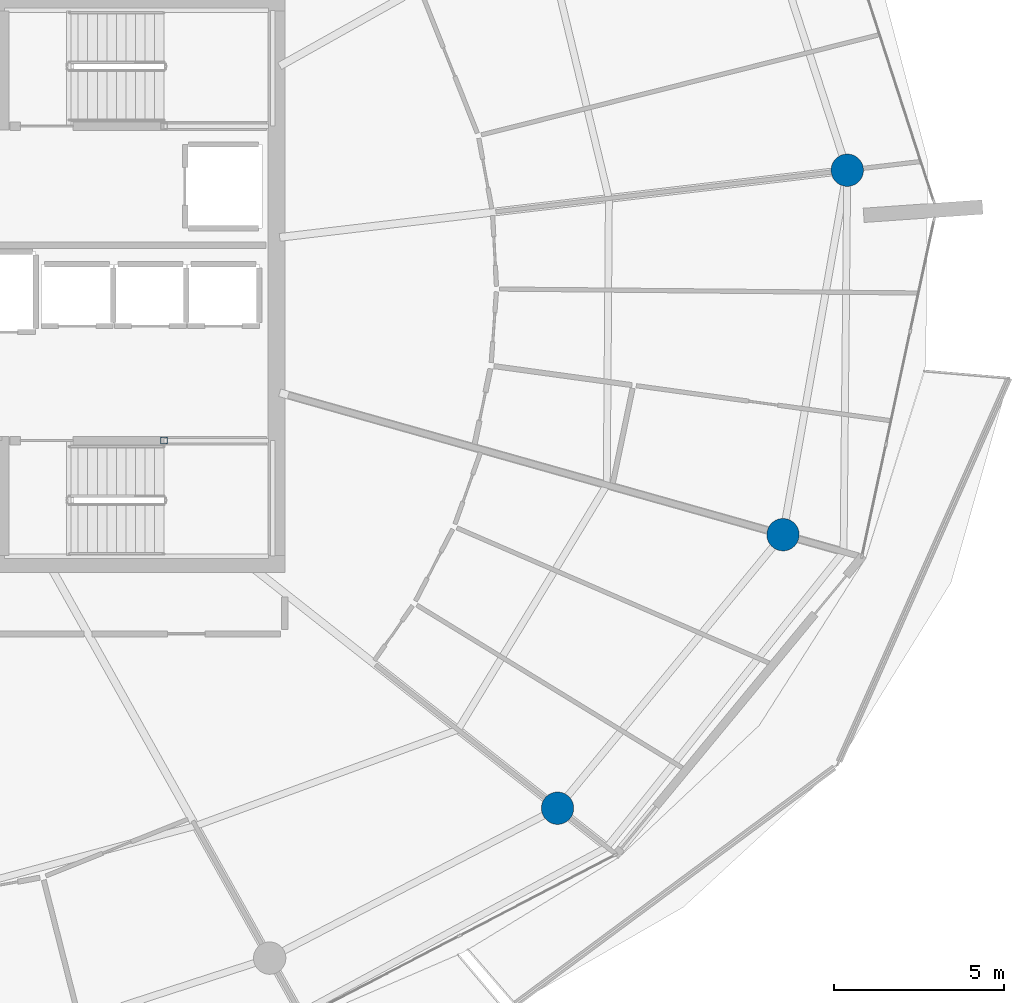
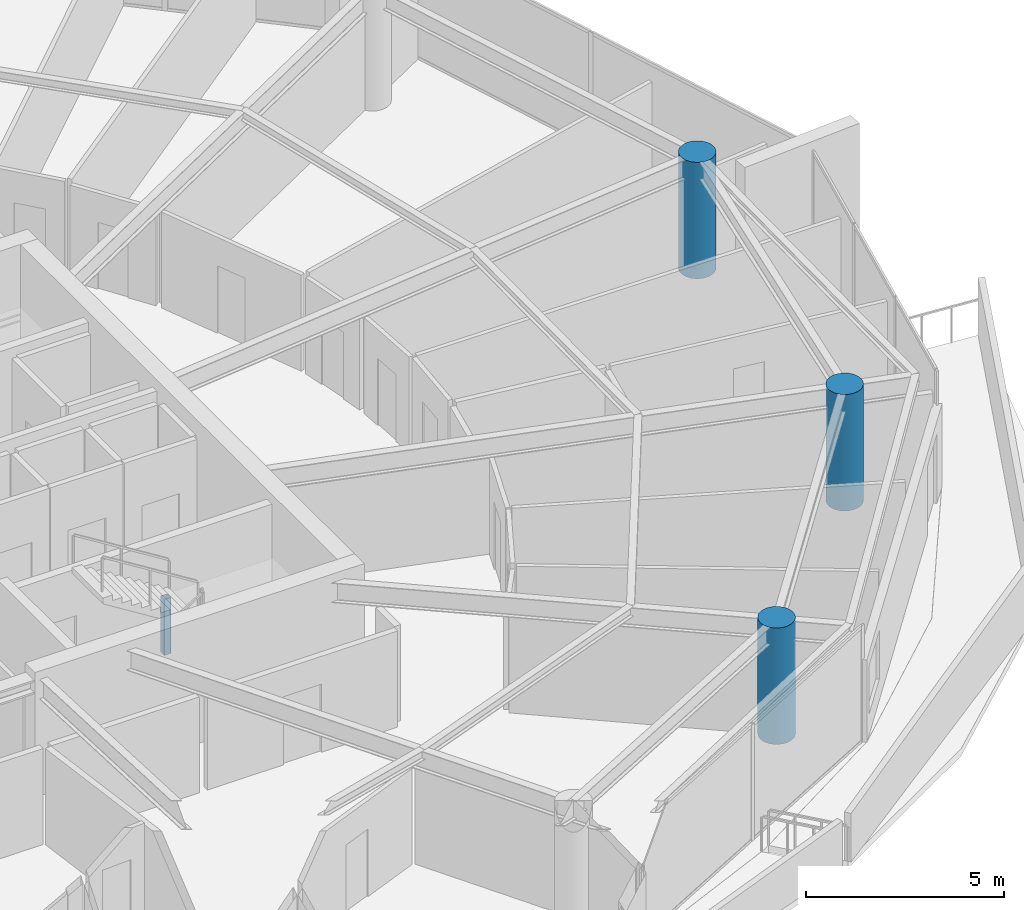
# One storey, part 3 of 30: 4 columns.
"""IFC4 building model written with IfcOpenShell, lengths in metres."""

from ifc_helpers import new_model, si_unit, direction, frame, origin, origin_2d, place, context, subcontext, project, spatial, hollow_rectangle, circle, extrude, material, material_profile, profile_set, type_object, element, save


model = new_model("IFC4")

# Units and contexts
model_context = context("Model", 3, precision=1e-05, world=origin(), true_north=direction((0.0, 1.0)))
body_context = subcontext(model_context, "Body", "Model", "MODEL_VIEW")
ifc_project = project(units=[si_unit("LENGTHUNIT", "METRE"), si_unit("AREAUNIT", "SQUARE_METRE"), si_unit("VOLUMEUNIT", "CUBIC_METRE"), si_unit("PLANEANGLEUNIT", "RADIAN"), si_unit("MASSUNIT", "GRAM", prefix="KILO")], contexts=[model_context])

# Site, building, storey
site_placement = place(None, origin())
site = spatial("IfcSite", under=ifc_project, at=site_placement, CompositionType="ELEMENT")
building_placement = place(site_placement, origin())
building = spatial("IfcBuilding", under=site, at=building_placement, Name="Kazma Halo Residences", CompositionType="ELEMENT")
storey_placement = place(building_placement, frame((0.0, 0.0, 279.050048828125)))
storey = spatial("IfcBuildingStorey", under=building, at=storey_placement, Name="L70", CompositionType="ELEMENT", Elevation=279.050048828125)

# Columns
ifc_material_1 = material(Name="Steel S355", Category="steel")
ifc_material_profile_1 = material_profile(ifc_material_1, hollow_rectangle(XDim=0.199951171875, YDim=0.199951171875, WallThickness=0.010009765625, InnerFilletRadius=0.010009765625, OuterFilletRadius=0.02001953125, at=origin_2d()), Name="SHS200x200x10")
ifc_profile_set_1 = profile_set([ifc_material_profile_1], Name="Steel S355")
column_type_1 = type_object("IfcColumnType", Name="COL-LP-SHS200", PredefinedType="COLUMN", material=ifc_profile_set_1)
column_placement = place(storey_placement, frame((56.0, 37.3798828125, 0.0), z_axis=(0.0, 0.0, 1.0), x_axis=(1.0, 0.0, 0.0)))
element("IfcColumn", 1, at=column_placement, inside=storey, type_object=column_type_1, Name="L70 ST-03 landing pilaster 1", PredefinedType="COLUMN", context=body_context, shape_type="SweptSolid", body=[
    extrude(hollow_rectangle(XDim=0.199951171875, YDim=0.199951171875, WallThickness=0.010009765625, InnerFilletRadius=0.010009765625, OuterFilletRadius=0.02001953125, at=origin_2d()), origin(), (0.0, 0.0, 1.0), 1.719970703125),
])
ifc_material_2 = material(Name="Concrete C60/75", Category="concrete")
ifc_material_profile_2 = material_profile(ifc_material_2, circle(Radius=0.47509765625, at=origin_2d()), Name="CIRC950")
ifc_profile_set_2 = profile_set([ifc_material_profile_2], Name="Concrete C60/75")
column_type_2 = type_object("IfcColumnType", Name="COL-PERIM-950", PredefinedType="COLUMN", material=ifc_profile_set_2)
for number, where, z_axis, x_axis, name in (
    (2, (67.566162109375, 26.5751953125, 0.0), (0.0, 0.0, 1.0), (1.0, 0.0, 0.0), "L70 perimeter ring column P14"),
    (3, (74.19091796875, 34.61328125, 0.0), (0.0, 0.0, 1.0), (1.0, 0.0, 0.0), "L70 perimeter ring column P15"),
    (4, (76.07958984375, 45.323486328125, 0.0), (0.0, 0.0, 1.0), (1.0, 0.0, 0.0), "L70 perimeter ring column P16"),
):
    element("IfcColumn", number, at=place(storey_placement, frame(where, z_axis=z_axis, x_axis=x_axis)), inside=storey, type_object=column_type_2, Name=name, PredefinedType="COLUMN", context=body_context, shape_type="SweptSolid", body=[
        extrude(circle(Radius=0.47509765625, at=origin_2d()), origin(), (0.0, 0.0, 1.0), 3.58984375),
    ])

save(model, "model.ifc")
